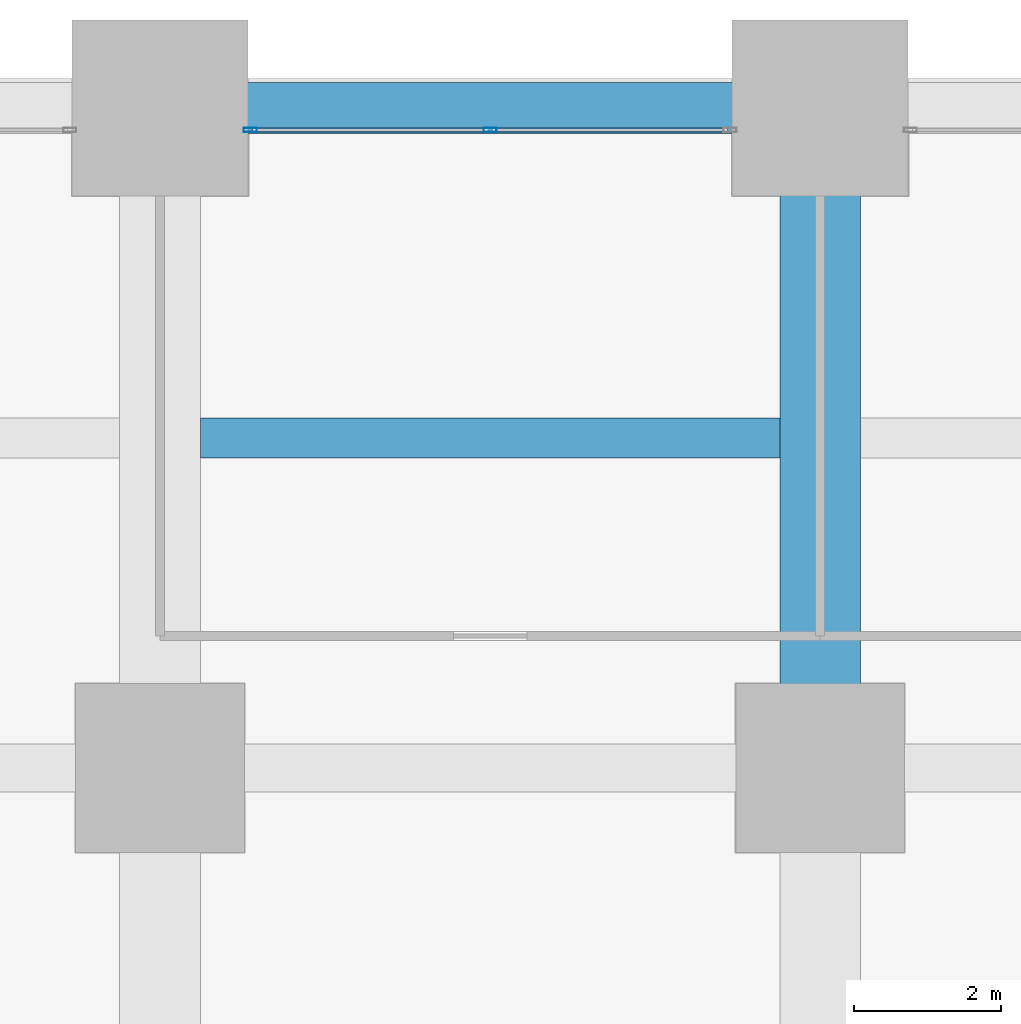
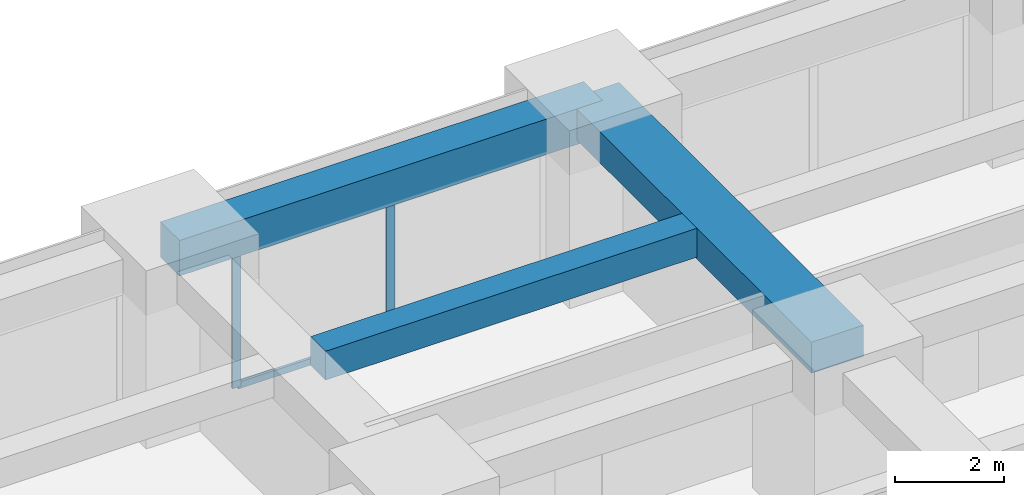
# One storey, part 23 of 39: 3 beams, 3 members, 1 element without a shape of its own.
"""IFC4 building model written with IfcOpenShell, lengths in metres."""

from ifc_helpers import new_model, si_unit, direction, frame, origin, origin_2d, place, context, subcontext, project, spatial, rectangle, hollow_rectangle, extrude, material, material_profile, profile_set, type_object, element, aggregate, save


model = new_model("IFC4")

# Units and contexts
model_context = context("Model", 3, precision=1e-05, world=origin(), true_north=direction((0.0, 1.0)))
body_context = subcontext(model_context, "Body", "Model", "MODEL_VIEW")
ifc_project = project(units=[si_unit("LENGTHUNIT", "METRE"), si_unit("AREAUNIT", "SQUARE_METRE"), si_unit("VOLUMEUNIT", "CUBIC_METRE"), si_unit("PLANEANGLEUNIT", "RADIAN"), si_unit("MASSUNIT", "GRAM", prefix="KILO")], contexts=[model_context])

# Site, building, storey
site_placement = place(None, origin())
site = spatial("IfcSite", under=ifc_project, at=site_placement, CompositionType="ELEMENT")
building_placement = place(site_placement, origin())
building = spatial("IfcBuilding", under=site, at=building_placement, Name="Zorevar Civic Tower", CompositionType="ELEMENT")
storey_placement = place(building_placement, frame((0.0, 0.0, 19.800048828125)))
storey = spatial("IfcBuildingStorey", under=building, at=storey_placement, Name="L04", CompositionType="ELEMENT", Elevation=19.800048828125)

# Beams
ifc_material_1 = material(Name="Concrete C50/60", Category="concrete")
ifc_material_profile_1 = material_profile(ifc_material_1, rectangle(XDim=1.10009765625, YDim=0.699951171875, at=origin_2d()), Name="RC 1100x700")
ifc_profile_set_1 = profile_set([ifc_material_profile_1], Name="Concrete C50/60")
beam_type_1 = type_object("IfcBeamType", Name="Beam RC 1100x700", PredefinedType="BEAM", material=ifc_profile_set_1)
beam_1_placement = place(storey_placement, frame((45.0, 45.0, 3.39990234375), z_axis=(0.0, 1.0, 0.0), x_axis=(-1.0, 0.0, 0.0)))
element("IfcBeam", 1, at=beam_1_placement, inside=storey, type_object=beam_type_1, Name="Girder L05", PredefinedType="BEAM", context=body_context, shape_type="SweptSolid", body=[
    extrude(rectangle(XDim=1.10009765625, YDim=0.699951171875, at=origin_2d()), origin(), (0.0, 0.0, 1.0), 9.0),
])
ifc_material_2 = material(Name="Concrete C50/60", Category="concrete")
ifc_material_profile_2 = material_profile(ifc_material_2, rectangle(XDim=0.550048828125, YDim=0.64990234375, at=origin_2d()), Name="RC 550x650")
ifc_profile_set_2 = profile_set([ifc_material_profile_2], Name="Concrete C50/60")
beam_type_2 = type_object("IfcBeamType", Name="Beam RC 550x650", PredefinedType="BEAM", material=ifc_profile_set_2)
beam_2_placement = place(storey_placement, frame((36.550048828125, 49.5, 3.425048828125), z_axis=(1.0, 0.0, 0.0), x_axis=(0.0, 1.0, 0.0)))
element("IfcBeam", 2, at=beam_2_placement, inside=storey, type_object=beam_type_2, Name="Secondary beam L05", PredefinedType="BEAM", context=body_context, shape_type="SweptSolid", body=[
    extrude(rectangle(XDim=0.550048828125, YDim=0.64990234375, at=origin_2d()), origin(), (0.0, 0.0, 1.0), 7.89990234375),
])

# Curtain wall, members
ifc_material_3 = material(Name="Dark grey solar-control glass in black aluminium frame", Category="aluminium")
curtain_wall_type = type_object("IfcCurtainWallType", Name="Curtain wall CW2 low zone", PredefinedType="NOTDEFINED", material=ifc_material_3)
curtain_wall_placement = place(storey_placement, origin())
curtain_wall = element("IfcCurtainWall", 3, at=curtain_wall_placement, inside=storey, type_object=curtain_wall_type, Name="CW2 L04", PredefinedType="NOTDEFINED")
ifc_material_4 = material(Name="Aluminium, black anodised", Category="aluminium")
ifc_material_profile_3 = material_profile(ifc_material_4, hollow_rectangle(XDim=0.06005859375, YDim=0.179931640625, WallThickness=0.00390625, at=origin_2d()), Name="AL 180x60x4")
ifc_profile_set_3 = profile_set([ifc_material_profile_3], Name="Aluminium, black anodised")
member_type_1 = type_object("IfcMemberType", Name="CW2 mullion AL 180x60x4", PredefinedType="MULLION", material=ifc_profile_set_3)
member_1_placement = place(storey_placement, frame((37.22998046875, 53.699951171875, 0.0), z_axis=(0.0, 0.0, 1.0), x_axis=(0.0, 1.0, 0.0)))
member_1 = element("IfcMember", 4, at=member_1_placement, type_object=member_type_1, Name="CW2 mullion 1", PredefinedType="MULLION", context=body_context, shape_type="SweptSolid", body=[
    extrude(hollow_rectangle(XDim=0.06005859375, YDim=0.179931640625, WallThickness=0.00390625, at=origin_2d()), origin(), (0.0, 0.0, 1.0), 2.949951171875),
])
member_2_placement = place(storey_placement, frame((40.5, 53.699951171875, 0.06005859375), z_axis=(0.0, 0.0, 1.0), x_axis=(0.0, 1.0, 0.0)))
member_2 = element("IfcMember", 5, at=member_2_placement, type_object=member_type_1, Name="CW2 mullion 2", PredefinedType="MULLION", context=body_context, shape_type="SweptSolid", body=[
    extrude(hollow_rectangle(XDim=0.06005859375, YDim=0.179931640625, WallThickness=0.00390625, at=origin_2d()), origin(), (0.0, 0.0, 1.0), 2.889892578125),
])
ifc_material_5 = material(Name="Aluminium, black anodised", Category="aluminium")
ifc_material_profile_4 = material_profile(ifc_material_5, hollow_rectangle(XDim=0.06005859375, YDim=0.14990234375, WallThickness=0.00390625, at=origin_2d()), Name="AL 150x60x4")
ifc_profile_set_4 = profile_set([ifc_material_profile_4], Name="Aluminium, black anodised")
member_type_2 = type_object("IfcMemberType", Name="CW2 transom AL 150x60x4", PredefinedType="USERDEFINED", material=ifc_profile_set_4)
member_3_placement = place(storey_placement, frame((37.260009765625, 53.699951171875, 0.030029296875), z_axis=(1.0, 0.0, 0.0), x_axis=(0.0, 1.0, 0.0)))
member_3 = element("IfcMember", 6, at=member_3_placement, type_object=member_type_2, Name="CW2 sill transom", ObjectType="TRANSOM", PredefinedType="USERDEFINED", context=body_context, shape_type="SweptSolid", body=[
    extrude(hollow_rectangle(XDim=0.06005859375, YDim=0.14990234375, WallThickness=0.00390625, at=origin_2d()), origin(), (0.0, 0.0, 1.0), 6.47998046875),
])
aggregate(curtain_wall, [member_1, member_2, member_3])

# Beam
ifc_material_6 = material(Name="Concrete C50/60", Category="concrete")
ifc_material_profile_5 = material_profile(ifc_material_6, rectangle(XDim=0.699951171875, YDim=0.800048828125, at=origin_2d()), Name="RC 700x800")
ifc_profile_set_5 = profile_set([ifc_material_profile_5], Name="Concrete C50/60")
beam_type_3 = type_object("IfcBeamType", Name="Edge beam RC 700x800", PredefinedType="SPANDREL", material=ifc_profile_set_5)
beam_3_placement = place(storey_placement, frame((36.0, 54.0, 3.349853515625), z_axis=(1.0, 0.0, 0.0), x_axis=(0.0, 1.0, 0.0)))
element("IfcBeam", 7, at=beam_3_placement, inside=storey, type_object=beam_type_3, Name="Edge beam L05", PredefinedType="SPANDREL", context=body_context, shape_type="SweptSolid", body=[
    extrude(rectangle(XDim=0.699951171875, YDim=0.800048828125, at=origin_2d()), origin(), (0.0, 0.0, 1.0), 9.0),
])

save(model, "model.ifc")
